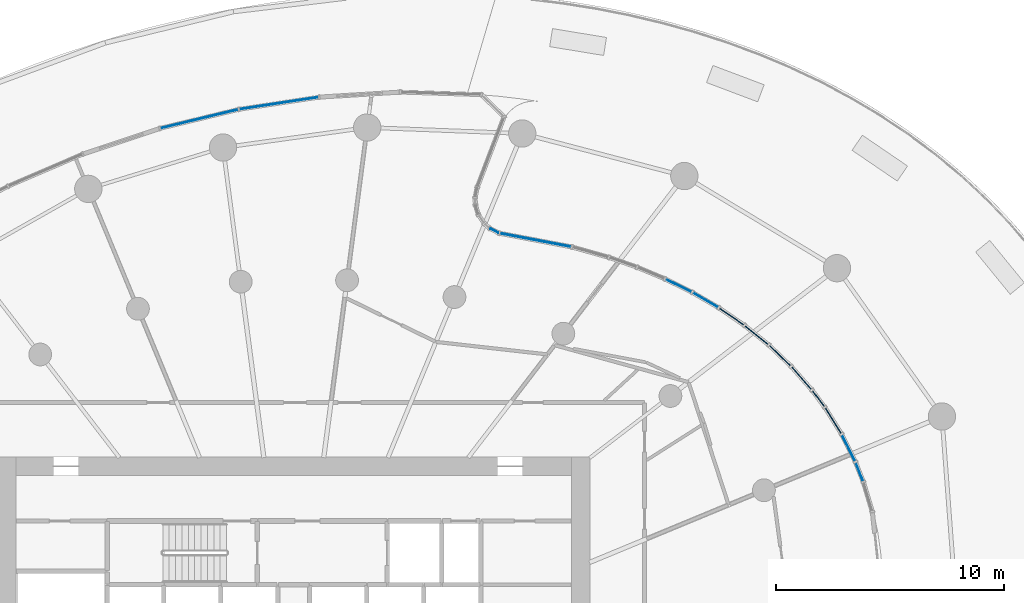
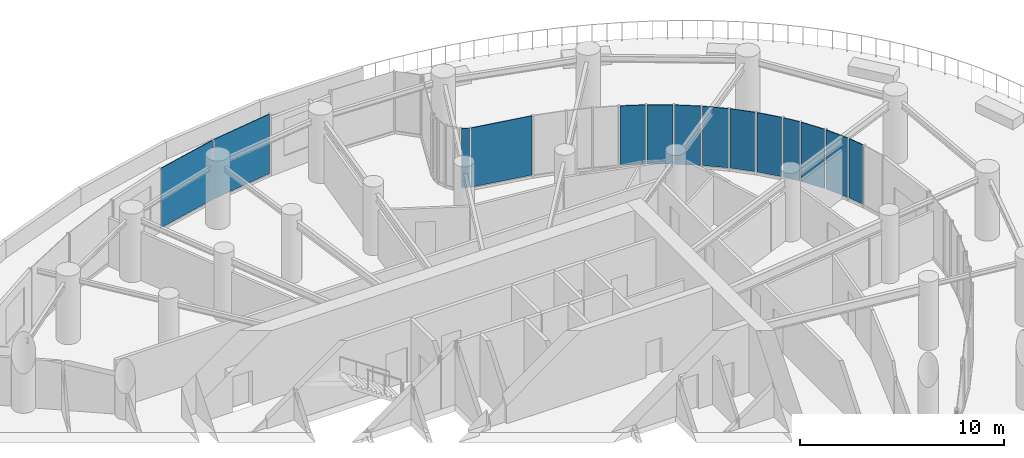
# One storey, part 12 of 24: 14 plates, 4 elements without a shape of their own.
"""IFC4 building model written with IfcOpenShell, lengths in metres."""

import ifcopenshell
import ifcopenshell.guid

model = None  # the IFC model being written
_history = None  # IfcOwnerHistory: only IFC2X3 demands one
_inside = {}  # id of a spatial element -> (the spatial element, [elements in it])
_under = {}  # id of a project, library or spatial element -> (it, [spatial elements below it])
_declared = {}  # id of a project -> (the project, [libraries it declares])
_typed = {}  # id of a type object -> (the type object, [elements of that type])
_made_of = {}  # id of a material, layer set ... -> (it, [elements and type objects made of it])


def new_model(schema):
    """Start an empty IFC model of exactly this schema.

    Asked for "IFC4X3", IfcOpenShell would pick the latest addendum, in which some entities
    have other attributes; the version numbers below select the first issue.
    IFC2X3 requires an IfcOwnerHistory on every rooted entity: one is made here for all.
    """
    global model, _history
    if schema == "IFC4X3":
        model = ifcopenshell.file(schema_version=(4, 3, 0, 0))
    else:
        model = ifcopenshell.file(schema=schema)
    _inside.clear()
    _under.clear()
    _declared.clear()
    _typed.clear()
    _made_of.clear()
    _history = None
    if model.schema == "IFC2X3":
        org = make("IfcOrganization", Name="unknown")
        user = make(
            "IfcPersonAndOrganization",
            ThePerson=make("IfcPerson", FamilyName="unknown"),
            TheOrganization=org,
        )
        app = make(
            "IfcApplication",
            ApplicationDeveloper=org,
            Version="unknown",
            ApplicationFullName="unknown",
            ApplicationIdentifier="unknown",
        )
        _history = make(
            "IfcOwnerHistory",
            OwningUser=user,
            OwningApplication=app,
            ChangeAction="ADDED",
            CreationDate=0,
        )
    return model


def make(cls, **values):
    """One entity of the class cls with the attributes given. An attribute that is None is left unset."""
    return model.create_entity(
        cls, **{name: value for name, value in values.items() if value is not None}
    )


def rooted(cls, **values):
    """An entity with a GlobalId (a new one), such as an element, a storey or a relation."""
    return make(cls, GlobalId=ifcopenshell.guid.new(), OwnerHistory=_history, **values)


def si_unit(unit_type, name, prefix=None):
    """IfcSIUnit, for example si_unit("LENGTHUNIT", "METRE", prefix="MILLI")."""
    return make("IfcSIUnit", UnitType=unit_type, Prefix=prefix, Name=name)


def assignment(units):
    """IfcUnitAssignment: the units of a project."""
    return None if units is None else make("IfcUnitAssignment", Units=units)


def point(xyz):
    """IfcCartesianPoint."""
    return None if xyz is None else make("IfcCartesianPoint", Coordinates=xyz)


def direction(xyz):
    """IfcDirection."""
    return None if xyz is None else make("IfcDirection", DirectionRatios=xyz)


def frame(location, z_axis=None, x_axis=None):
    """IfcAxis2Placement3D, a coordinate frame: its origin and axes. An axis left out is left unset."""
    return make(
        "IfcAxis2Placement3D",
        Location=point(location),
        Axis=direction(z_axis),
        RefDirection=direction(x_axis),
    )


def frame_2d(location, x_axis=None):
    """IfcAxis2Placement2D, a coordinate frame in the plane: its origin and x axis."""
    return make(
        "IfcAxis2Placement2D", Location=point(location), RefDirection=direction(x_axis)
    )


def origin():
    """The frame at (0, 0, 0) with its axes left unset."""
    return frame((0.0, 0.0, 0.0))


def origin_2d():
    """The frame at (0, 0) in the plane with its x axis left unset."""
    return frame_2d((0.0, 0.0))


def place(relative_to, where):
    """IfcLocalPlacement: puts the frame where relative to a parent placement (None: the world)."""
    return make(
        "IfcLocalPlacement", PlacementRelTo=relative_to, RelativePlacement=where
    )


def context(
    kind, dimensions, precision=None, world=None, true_north=None, identifier=None
):
    """IfcGeometricRepresentationContext, for example the 3D "Model" context."""
    return make(
        "IfcGeometricRepresentationContext",
        ContextIdentifier=identifier,
        ContextType=kind,
        CoordinateSpaceDimension=dimensions,
        Precision=precision,
        WorldCoordinateSystem=world,
        TrueNorth=true_north,
    )


def subcontext(parent, identifier, kind, view, scale=None):
    """IfcGeometricRepresentationSubContext, for example "Body" below "Model"."""
    return make(
        "IfcGeometricRepresentationSubContext",
        ContextIdentifier=identifier,
        ContextType=kind,
        ParentContext=parent,
        TargetScale=scale,
        TargetView=view,
    )


def project(units=None, contexts=None):
    """IfcProject with its units and contexts."""
    return rooted(
        "IfcProject",
        Name="project",
        RepresentationContexts=contexts,
        UnitsInContext=assignment(units),
    )


def spatial(cls, under=None, at=None, **own):
    """A site, building, storey or space (cls), placed at a placement, below another one or the project."""
    s = rooted(cls, ObjectPlacement=at, **own)
    if under is not None:
        _under.setdefault(under.id(), (under, []))[1].append(s)
    return s


def profile(cls, at=None, kind="AREA", **sizes):
    """A parametric profile (cls). Its sizes go by their IFC names, for example OverallWidth=200.0."""
    return make(cls, ProfileType=kind, Position=at, **sizes)


def rectangle(**sizes):
    """IfcRectangleProfileDef."""
    return profile("IfcRectangleProfileDef", **sizes)


def extrude(swept, where, along, depth):
    """IfcExtrudedAreaSolid: the profile swept, set in the frame where, extruded along a direction by depth."""
    return make(
        "IfcExtrudedAreaSolid",
        SweptArea=swept,
        Position=where,
        ExtrudedDirection=direction(along),
        Depth=depth,
    )


def shape(context_of_items, identifier, shape_type, items):
    """IfcShapeRepresentation: the items that make up one representation, for example the "Body"."""
    return make(
        "IfcShapeRepresentation",
        ContextOfItems=context_of_items,
        RepresentationIdentifier=identifier,
        RepresentationType=shape_type,
        Items=items,
    )


def source(mapping_origin, context_of_items, identifier, shape_type, items):
    """IfcRepresentationMap: a shape defined once, which mapped items show again and again."""
    return make(
        "IfcRepresentationMap",
        MappingOrigin=mapping_origin,
        MappedRepresentation=shape(context_of_items, identifier, shape_type, items),
    )


def transform(
    local_origin,
    x_axis=None,
    y_axis=None,
    z_axis=None,
    scale=None,
    scale2=None,
    scale3=None,
    uniform=True,
):
    """IfcCartesianTransformationOperator3D, or its non-uniform kind. x_axis, y_axis, z_axis: its Axis1, 2, 3."""
    if uniform:
        return make(
            "IfcCartesianTransformationOperator3D",
            Axis1=direction(x_axis),
            Axis2=direction(y_axis),
            LocalOrigin=point(local_origin),
            Scale=scale,
            Axis3=direction(z_axis),
        )
    return make(
        "IfcCartesianTransformationOperator3DnonUniform",
        Axis1=direction(x_axis),
        Axis2=direction(y_axis),
        LocalOrigin=point(local_origin),
        Scale=scale,
        Axis3=direction(z_axis),
        Scale2=scale2,
        Scale3=scale3,
    )


def mapped(mapping_source, mapping_target):
    """IfcMappedItem: shows the shape of a source again, moved by a transform."""
    return make(
        "IfcMappedItem", MappingSource=mapping_source, MappingTarget=mapping_target
    )


def material(Name=None, Category=None):
    """IfcMaterial."""
    return make("IfcMaterial", Name=Name, Category=Category)


def layer(
    of_material, thickness, ventilated=None, Name=None, Category=None, Priority=None
):
    """IfcMaterialLayer: one layer of a wall or slab, of a material (None: an air gap)."""
    return make(
        "IfcMaterialLayer",
        Material=of_material,
        LayerThickness=thickness,
        IsVentilated=ventilated,
        Name=Name,
        Category=Category,
        Priority=Priority,
    )


def layer_set(layers, Name=None):
    """IfcMaterialLayerSet."""
    return make("IfcMaterialLayerSet", MaterialLayers=layers, LayerSetName=Name)


def made_of(thing, what):
    """Note that an element or type object is made of a material, layer set ...; save() writes the relation."""
    if what is not None:
        _made_of.setdefault(what.id(), (what, []))[1].append(thing)
    return thing


def type_object(cls, material=None, **own):
    """A type object (cls), such as IfcWallType, which elements share."""
    return made_of(rooted(cls, **own), material)


def element(
    cls,
    number,
    at=None,
    inside=None,
    cuts=None,
    type_object=None,
    material=None,
    context=None,
    identifier="Body",
    shape_type=None,
    held_by="IfcProductDefinitionShape",
    body=None,
    shapes=None,
    **own,
):
    """One element of the class cls, such as IfcWall. Its Tag is "e" and its number.

    at: its placement. inside: the storey or other place that contains it. cuts: it is an
    opening in that element (IfcRelVoidsElement). A single representation is given by context,
    identifier, shape_type and body (its items); several are given by shapes. held_by: the class
    of the entity that holds the representations. save() writes the other relations.
    """
    e = rooted(cls, Tag="e%d" % number, ObjectPlacement=at, **own)
    if body is not None:
        shapes = [shape(context, identifier, shape_type, body)]
    if shapes is not None:
        e.Representation = make(held_by, Representations=shapes)
    if inside is not None:
        _inside.setdefault(inside.id(), (inside, []))[1].append(e)
    if cuts is not None:
        rooted(
            "IfcRelVoidsElement", RelatingBuildingElement=cuts, RelatedOpeningElement=e
        )
    if type_object is not None:
        _typed.setdefault(type_object.id(), (type_object, []))[1].append(e)
    return made_of(e, material)


def aggregate(whole, parts):
    """IfcRelAggregates: a whole, such as a stair, and the parts it consists of."""
    return rooted("IfcRelAggregates", RelatingObject=whole, RelatedObjects=parts)


def save(model, path):
    """Write the relations noted so far, then the file.

    IfcRelAggregates (storeys below a building ...), IfcRelContainedInSpatialStructure (elements
    in a storey), IfcRelDefinesByType, IfcRelAssociatesMaterial and IfcRelDeclares: one each for
    every whole, place, type object, material and project.
    """
    for whole, parts in _under.values():
        aggregate(whole, parts)
    for where, things in _inside.values():
        rooted(
            "IfcRelContainedInSpatialStructure",
            RelatedElements=things,
            RelatingStructure=where,
        )
    for kind, things in _typed.values():
        rooted("IfcRelDefinesByType", RelatedObjects=things, RelatingType=kind)
    for what, things in _made_of.values():
        rooted("IfcRelAssociatesMaterial", RelatedObjects=things, RelatingMaterial=what)
    for by, libraries in _declared.values():
        rooted("IfcRelDeclares", RelatingContext=by, RelatedDefinitions=libraries)
    model.write(path)


model = new_model("IFC4")

# Units and contexts
model_context = context("Model", 3, precision=1e-05, world=origin(), true_north=direction((0.0, 1.0)))
body_context = subcontext(model_context, "Body", "Model", "MODEL_VIEW")
ifc_project = project(units=[si_unit("LENGTHUNIT", "METRE"), si_unit("AREAUNIT", "SQUARE_METRE"), si_unit("VOLUMEUNIT", "CUBIC_METRE"), si_unit("PLANEANGLEUNIT", "RADIAN"), si_unit("MASSUNIT", "GRAM", prefix="KILO")], contexts=[model_context])

# Site, building, storey
site_placement = place(None, origin())
site = spatial("IfcSite", under=ifc_project, at=site_placement, CompositionType="ELEMENT")
building_placement = place(site_placement, origin())
building = spatial("IfcBuilding", under=site, at=building_placement, Name="Spindrift Exchange Tower", CompositionType="ELEMENT")
storey_placement = place(building_placement, frame((0.0, 0.0, 79.800048828125)))
storey = spatial("IfcBuildingStorey", under=building, at=storey_placement, Name="L18", CompositionType="ELEMENT", Elevation=79.800048828125)

# Curtain wall, plates
ifc_material_1 = material(Name="Fritted laminated glass with bronze frame", Category="glass")
ifc_layer_1 = layer(ifc_material_1, 0.18994140625)
ifc_layer_set_1 = layer_set([ifc_layer_1], Name="ZONE 2 BRONZE FRITTED WALL")
curtain_wall_type_1 = type_object("IfcCurtainWallType", Name="ZONE 2 BRONZE FRITTED WALL", PredefinedType="NOTDEFINED", material=ifc_layer_set_1)
curtain_wall_1_placement = place(storey_placement, origin())
curtain_wall_1 = element("IfcCurtainWall", 1, at=curtain_wall_1_placement, inside=storey, type_object=curtain_wall_type_1, Name="L18 Zone 2 Bronze Fritted Wall run 1", PredefinedType="NOTDEFINED")
ifc_material_2 = material(Name="Bronze tinted laminated glass, light frit", Category="glass")
ifc_layer_2 = layer(ifc_material_2, 0.033935546875)
ifc_layer_set_2 = layer_set([ifc_layer_2], Name="ZONE 2 BRONZE FRITTED WALL PANEL LIGHT FRIT 720")
plate_type_1 = type_object("IfcPlateType", Name="ZONE 2 BRONZE FRITTED WALL PANEL LIGHT FRIT 720", PredefinedType="CURTAIN_PANEL", material=ifc_layer_set_2)
shared_shape_1 = source(origin(), body_context, "Body", "SweptSolid", [
    extrude(rectangle(XDim=3.49169921875, YDim=0.033935546875, at=origin_2d()), origin(), (0.0, 0.0, 1.0), 3.56005859375),
])
plate_1_placement = place(storey_placement, frame((51.348388671875, 73.541015625, 0.139892578125), z_axis=(0.0, 0.0, 1.0), x_axis=(-0.98863889366, -0.150310139189, 0.0)))
plate_1 = element("IfcPlate", 2, at=plate_1_placement, type_object=plate_type_1, Name="L18 panel CW-2.3", PredefinedType="CURTAIN_PANEL", context=body_context, shape_type="MappedRepresentation", body=[
    mapped(shared_shape_1, transform((0.0, 0.0, 0.0), scale=1.0)),
])
plate_2_placement = place(storey_placement, frame((47.851806640625, 72.85400390625, 0.139892578125), z_axis=(0.0, 0.0, 1.0), x_axis=(-0.972020477512, -0.23489612874, 0.0)))
plate_2 = element("IfcPlate", 3, at=plate_2_placement, type_object=plate_type_1, Name="L18 panel CW-2.4", PredefinedType="CURTAIN_PANEL", context=body_context, shape_type="MappedRepresentation", body=[
    mapped(shared_shape_1, transform((0.0, 0.0, 0.0), scale=1.0)),
])
aggregate(curtain_wall_1, [plate_1, plate_2])

ifc_layer_3 = layer(ifc_material_1, 0.199951171875)
ifc_layer_set_3 = layer_set([ifc_layer_3], Name="SKY GARDEN BRONZE GLAZED WALL")
curtain_wall_type_2 = type_object("IfcCurtainWallType", Name="SKY GARDEN BRONZE GLAZED WALL", PredefinedType="NOTDEFINED", material=ifc_layer_set_3)
curtain_wall_2_placement = place(storey_placement, origin())
curtain_wall_2 = element("IfcCurtainWall", 4, at=curtain_wall_2_placement, inside=storey, type_object=curtain_wall_type_2, Name="L18 Sky Garden Bronze Glazed Wall run 10", PredefinedType="NOTDEFINED")
ifc_material_3 = material(Name="Bronze tinted laminated glass, clear vision", Category="glass")
ifc_layer_4 = layer(ifc_material_3, 0.0380859375)
ifc_layer_set_4 = layer_set([ifc_layer_4], Name="SKY GARDEN BRONZE GLAZED WALL PANEL CLEAR 1200")
plate_type_2 = type_object("IfcPlateType", Name="SKY GARDEN BRONZE GLAZED WALL PANEL CLEAR 1200", PredefinedType="CURTAIN_PANEL", material=ifc_layer_set_4)
shared_shape_2 = source(origin(), body_context, "Body", "SweptSolid", [
    extrude(rectangle(XDim=0.864501953125, YDim=0.0380859375, at=origin_2d()), origin(), (0.0, 0.0, 1.0), 3.550048828125),
])
plate_3_placement = place(storey_placement, frame((76.83203125, 57.353271484375, 0.14990234375), z_axis=(0.0, 0.0, 1.0), x_axis=(-0.367827567717, 0.929894015696, 0.0)))
plate_3 = element("IfcPlate", 5, at=plate_3_placement, type_object=plate_type_2, Name="L18 panel CW-G.55", PredefinedType="CURTAIN_PANEL", context=body_context, shape_type="MappedRepresentation", body=[
    mapped(shared_shape_2, transform((0.0, 0.0, 0.0), scale=1.0)),
])
ifc_layer_5 = layer(ifc_material_3, 0.0380859375)
ifc_layer_set_5 = layer_set([ifc_layer_5], Name="SKY GARDEN BRONZE GLAZED WALL PANEL CLEAR 1560")
plate_type_3 = type_object("IfcPlateType", Name="SKY GARDEN BRONZE GLAZED WALL PANEL CLEAR 1560", PredefinedType="CURTAIN_PANEL", material=ifc_layer_set_5)
shared_shape_3 = source(origin(), body_context, "Body", "SweptSolid", [
    extrude(rectangle(XDim=1.277587890625, YDim=0.0380859375, at=origin_2d()), origin(), (0.0, 0.0, 1.0), 3.550048828125),
])
plate_4_placement = place(storey_placement, frame((76.354248046875, 58.40478515625, 0.14990234375), z_axis=(0.0, 0.0, 1.0), x_axis=(-0.444980638038, 0.895540189925, 0.0)))
plate_4 = element("IfcPlate", 6, at=plate_4_placement, type_object=plate_type_3, Name="L18 panel CW-G.56", PredefinedType="CURTAIN_PANEL", context=body_context, shape_type="MappedRepresentation", body=[
    mapped(shared_shape_3, transform((0.0, 0.0, 0.0), scale=1.0)),
])
ifc_layer_6 = layer(ifc_material_3, 0.0380859375)
ifc_layer_set_6 = layer_set([ifc_layer_6], Name="SKY GARDEN BRONZE GLAZED WALL PANEL CLEAR 1920")
plate_type_4 = type_object("IfcPlateType", Name="SKY GARDEN BRONZE GLAZED WALL PANEL CLEAR 1920", PredefinedType="CURTAIN_PANEL", material=ifc_layer_set_6)
shared_shape_4 = source(origin(), body_context, "Body", "SweptSolid", [
    extrude(rectangle(XDim=1.3017578125, YDim=0.0380859375, at=origin_2d()), origin(), (0.0, 0.0, 1.0), 3.550048828125),
])
plate_5_placement = place(storey_placement, frame((75.68310546875, 59.602294921875, 0.14990234375), z_axis=(0.0, 0.0, 1.0), x_axis=(-0.531015592011, 0.847362048384, 0.0)))
plate_5 = element("IfcPlate", 7, at=plate_5_placement, type_object=plate_type_4, Name="L18 panel CW-G.57", PredefinedType="CURTAIN_PANEL", context=body_context, shape_type="MappedRepresentation", body=[
    mapped(shared_shape_4, transform((0.0, 0.0, 0.0), scale=1.0)),
])
shared_shape_5 = source(origin(), body_context, "Body", "SweptSolid", [
    extrude(rectangle(XDim=0.86181640625, YDim=0.0380859375, at=origin_2d()), origin(), (0.0, 0.0, 1.0), 3.550048828125),
])
plate_6_placement = place(storey_placement, frame((75.031494140625, 60.5693359375, 0.14990234375), z_axis=(0.0, 0.0, 1.0), x_axis=(-0.598342780289, 0.80124023693, 0.0)))
plate_6 = element("IfcPlate", 8, at=plate_6_placement, type_object=plate_type_4, Name="L18 panel CW-G.58", PredefinedType="CURTAIN_PANEL", context=body_context, shape_type="MappedRepresentation", body=[
    mapped(shared_shape_5, transform((0.0, 0.0, 0.0), scale=1.0)),
])
shared_shape_6 = source(origin(), body_context, "Body", "SweptSolid", [
    extrude(rectangle(XDim=1.2978515625, YDim=0.0380859375, at=origin_2d()), origin(), (0.0, 0.0, 1.0), 3.550048828125),
])
plate_7_placement = place(storey_placement, frame((74.292236328125, 61.468505859375, 0.14990234375), z_axis=(0.0, 0.0, 1.0), x_axis=(-0.659390429011, 0.751800679787, 0.0)))
plate_7 = element("IfcPlate", 9, at=plate_7_placement, type_object=plate_type_3, Name="L18 panel CW-G.59", PredefinedType="CURTAIN_PANEL", context=body_context, shape_type="MappedRepresentation", body=[
    mapped(shared_shape_6, transform((0.0, 0.0, 0.0), scale=1.0)),
])
aggregate(curtain_wall_2, [plate_3, plate_4, plate_5, plate_6, plate_7])

curtain_wall_3_placement = place(storey_placement, origin())
curtain_wall_3 = element("IfcCurtainWall", 10, at=curtain_wall_3_placement, inside=storey, type_object=curtain_wall_type_2, Name="L18 Sky Garden Bronze Glazed Wall run 11", PredefinedType="NOTDEFINED")
shared_shape_7 = source(origin(), body_context, "Body", "SweptSolid", [
    extrude(rectangle(XDim=1.273681640625, YDim=0.0380859375, at=origin_2d()), origin(), (0.0, 0.0, 1.0), 3.550048828125),
])
plate_8_placement = place(storey_placement, frame((73.34521484375, 62.45751953125, 0.14990234375), z_axis=(0.0, 0.0, 1.0), x_axis=(-0.723221524326, 0.69061612112, 0.0)))
plate_8 = element("IfcPlate", 11, at=plate_8_placement, type_object=plate_type_2, Name="L18 panel CW-G.60", PredefinedType="CURTAIN_PANEL", context=body_context, shape_type="MappedRepresentation", body=[
    mapped(shared_shape_7, transform((0.0, 0.0, 0.0), scale=1.0)),
])
shared_shape_8 = source(origin(), body_context, "Body", "SweptSolid", [
    extrude(rectangle(XDim=1.288818359375, YDim=0.0380859375, at=origin_2d()), origin(), (0.0, 0.0, 1.0), 3.550048828125),
])
plate_9_placement = place(storey_placement, frame((72.3193359375, 63.35791015625, 0.14990234375), z_axis=(0.0, 0.0, 1.0), x_axis=(-0.778262876183, 0.62793860811, 0.0)))
plate_9 = element("IfcPlate", 12, at=plate_9_placement, type_object=plate_type_2, Name="L18 panel CW-G.61", PredefinedType="CURTAIN_PANEL", context=body_context, shape_type="MappedRepresentation", body=[
    mapped(shared_shape_8, transform((0.0, 0.0, 0.0), scale=1.0)),
])
shared_shape_9 = source(origin(), body_context, "Body", "SweptSolid", [
    extrude(rectangle(XDim=1.279541015625, YDim=0.0380859375, at=origin_2d()), origin(), (0.0, 0.0, 1.0), 3.550048828125),
])
plate_10_placement = place(storey_placement, frame((71.2216796875, 64.174560546875, 0.14990234375), z_axis=(0.0, 0.0, 1.0), x_axis=(-0.825201247079, 0.564838828179, 0.0)))
plate_10 = element("IfcPlate", 13, at=plate_10_placement, type_object=plate_type_2, Name="L18 panel CW-G.62", PredefinedType="CURTAIN_PANEL", context=body_context, shape_type="MappedRepresentation", body=[
    mapped(shared_shape_9, transform((0.0, 0.0, 0.0), scale=1.0)),
])
shared_shape_10 = source(origin(), body_context, "Body", "SweptSolid", [
    extrude(rectangle(XDim=1.267578125, YDim=0.0380859375, at=origin_2d()), origin(), (0.0, 0.0, 1.0), 3.550048828125),
])
plate_11_placement = place(storey_placement, frame((70.073974609375, 64.900146484375, 0.14990234375), z_axis=(0.0, 0.0, 1.0), x_axis=(-0.864381890482, 0.502835905049, 0.0)))
plate_11 = element("IfcPlate", 14, at=plate_11_placement, type_object=plate_type_3, Name="L18 panel CW-G.63", PredefinedType="CURTAIN_PANEL", context=body_context, shape_type="MappedRepresentation", body=[
    mapped(shared_shape_10, transform((0.0, 0.0, 0.0), scale=1.0)),
])
shared_shape_11 = source(origin(), body_context, "Body", "SweptSolid", [
    extrude(rectangle(XDim=1.25244140625, YDim=0.0380859375, at=origin_2d()), origin(), (0.0, 0.0, 1.0), 3.550048828125),
])
plate_12_placement = place(storey_placement, frame((68.889892578125, 65.536376953125, 0.14990234375), z_axis=(0.0, 0.0, 1.0), x_axis=(-0.896569931408, 0.442902199243, 0.0)))
plate_12 = element("IfcPlate", 15, at=plate_12_placement, type_object=plate_type_3, Name="L18 panel CW-G.64", PredefinedType="CURTAIN_PANEL", context=body_context, shape_type="MappedRepresentation", body=[
    mapped(shared_shape_11, transform((0.0, 0.0, 0.0), scale=1.0)),
])
aggregate(curtain_wall_3, [plate_8, plate_9, plate_10, plate_11, plate_12])

curtain_wall_4_placement = place(storey_placement, origin())
curtain_wall_4 = element("IfcCurtainWall", 16, at=curtain_wall_4_placement, inside=storey, type_object=curtain_wall_type_2, Name="L18 Sky Garden Bronze Glazed Wall run 12", PredefinedType="NOTDEFINED")
shared_shape_12 = source(origin(), body_context, "Body", "SweptSolid", [
    extrude(rectangle(XDim=3.1689453125, YDim=0.0380859375, at=origin_2d()), origin(), (0.0, 0.0, 1.0), 3.550048828125),
])
plate_13_placement = place(storey_placement, frame((62.611572265625, 67.53369140625, 0.14990234375), z_axis=(0.0, 0.0, 1.0), x_axis=(-0.982482612099, 0.186354277983, 0.0)))
plate_13 = element("IfcPlate", 17, at=plate_13_placement, type_object=plate_type_2, Name="L18 panel CW-G.68", PredefinedType="CURTAIN_PANEL", context=body_context, shape_type="MappedRepresentation", body=[
    mapped(shared_shape_12, transform((0.0, 0.0, 0.0), scale=1.0)),
])
shared_shape_13 = source(origin(), body_context, "Body", "SweptSolid", [
    extrude(rectangle(XDim=0.37841796875, YDim=0.0380859375, at=origin_2d()), origin(), (0.0, 0.0, 1.0), 3.550048828125),
])
plate_14_placement = place(storey_placement, frame((60.806884765625, 67.9423828125, 0.14990234375), z_axis=(0.0, 0.0, 1.0), x_axis=(-0.889893761195, 0.456167835107, 0.0)))
plate_14 = element("IfcPlate", 18, at=plate_14_placement, type_object=plate_type_2, Name="L18 panel CW-G.69", PredefinedType="CURTAIN_PANEL", context=body_context, shape_type="MappedRepresentation", body=[
    mapped(shared_shape_13, transform((0.0, 0.0, 0.0), scale=1.0)),
])
aggregate(curtain_wall_4, [plate_13, plate_14])

save(model, "model.ifc")
